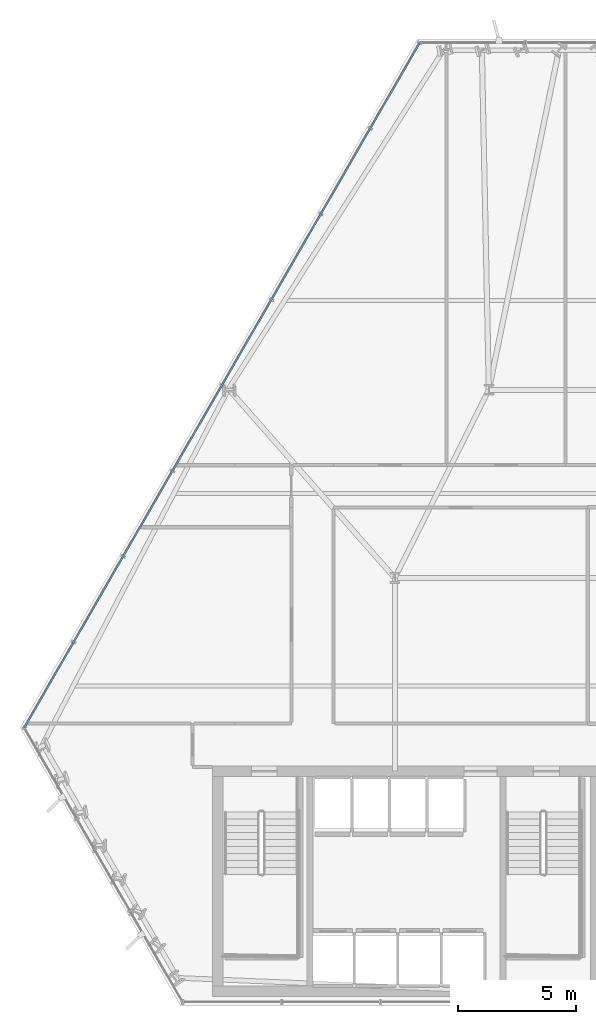
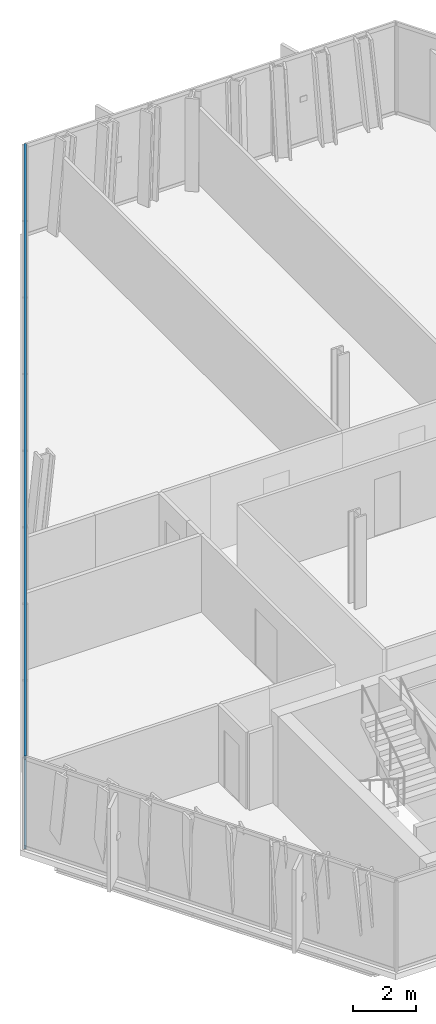
# One storey, part 12 of 31: 2 members, 1 element without a shape of its own.
"""IFC4 building model written with IfcOpenShell, lengths in metres."""

from ifc_helpers import new_model, si_unit, direction, frame, origin, origin_2d, place, context, subcontext, project, spatial, hollow_rectangle, extrude, material, layer, layer_set, material_profile, profile_set, type_object, element, aggregate, save


model = new_model("IFC4")

# Units and contexts
model_context = context("Model", 3, precision=1e-05, world=origin(), true_north=direction((0.0, 1.0)))
body_context = subcontext(model_context, "Body", "Model", "MODEL_VIEW")
ifc_project = project(units=[si_unit("LENGTHUNIT", "METRE"), si_unit("AREAUNIT", "SQUARE_METRE"), si_unit("VOLUMEUNIT", "CUBIC_METRE"), si_unit("PLANEANGLEUNIT", "RADIAN"), si_unit("MASSUNIT", "GRAM", prefix="KILO")], contexts=[model_context])

# Site, building, storey
site_placement = place(None, origin())
site = spatial("IfcSite", under=ifc_project, at=site_placement, CompositionType="ELEMENT")
building_placement = place(site_placement, origin())
building = spatial("IfcBuilding", under=site, at=building_placement, Name="Ndaravel Arena Tower", CompositionType="ELEMENT")
storey_placement = place(building_placement, frame((0.0, 0.0, 108.199951171875)))
storey = spatial("IfcBuildingStorey", under=building, at=storey_placement, Name="L25", CompositionType="ELEMENT", Elevation=108.199951171875)

# Curtain wall, members
ifc_material_1 = material(Name="Aluminium", Category="aluminium")
ifc_layer = layer(ifc_material_1, 0.179931640625)
ifc_layer_set = layer_set([ifc_layer], Name="Aluminium")
curtain_wall_type = type_object("IfcCurtainWallType", Name="CW-SYS-03", PredefinedType="NOTDEFINED", material=ifc_layer_set)
curtain_wall_placement = place(storey_placement, origin())
curtain_wall = element("IfcCurtainWall", 1, at=curtain_wall_placement, inside=storey, type_object=curtain_wall_type, Name="L25 Faceted Crystal Curtain Wall CW-L25-E05", PredefinedType="NOTDEFINED")
ifc_material_2 = material(Name="Aluminium", Category="aluminium")
ifc_material_profile = material_profile(ifc_material_2, hollow_rectangle(XDim=0.074951171875, YDim=0.14990234375, WallThickness=0.00390625, at=origin_2d()), Name="CW TRANSOM 75x150x4")
ifc_profile_set = profile_set([ifc_material_profile], Name="Aluminium")
member_type = type_object("IfcMemberType", Name="MEM-CW-TRN150", PredefinedType="USERDEFINED", material=ifc_profile_set)
member_1_placement = place(storey_placement, frame((35.2607421875, 45.962646484375, 0.0400390625), z_axis=(-0.49999932107, -0.866025795764, 0.0), x_axis=(0.866025795764, -0.49999932107, 0.0)))
member_1 = element("IfcMember", 2, at=member_1_placement, type_object=member_type, Name="CW-L25-E05 Transom 01", ObjectType="TRANSOM", PredefinedType="USERDEFINED", context=body_context, shape_type="SweptSolid", body=[
    extrude(hollow_rectangle(XDim=0.074951171875, YDim=0.14990234375, WallThickness=0.00390625, at=origin_2d()), origin(), (0.0, 0.0, 1.0), 33.63623046875),
])
member_2_placement = place(storey_placement, frame((35.2607421875, 45.962646484375, 3.47998046875), z_axis=(-0.49999932107, -0.866025795764, 0.0), x_axis=(0.866025795764, -0.49999932107, 0.0)))
member_2 = element("IfcMember", 3, at=member_2_placement, type_object=member_type, Name="CW-L25-E05 Transom 02", ObjectType="TRANSOM", PredefinedType="USERDEFINED", context=body_context, shape_type="SweptSolid", body=[
    extrude(hollow_rectangle(XDim=0.074951171875, YDim=0.14990234375, WallThickness=0.00390625, at=origin_2d()), origin(), (0.0, 0.0, 1.0), 33.63623046875),
])
aggregate(curtain_wall, [member_1, member_2])

save(model, "model.ifc")
